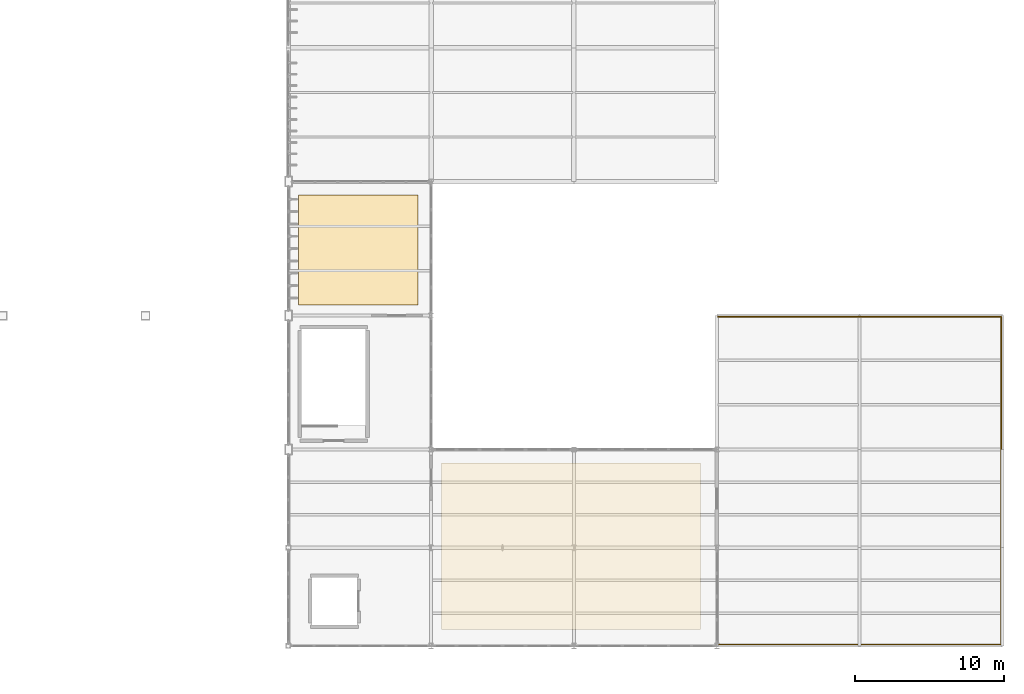
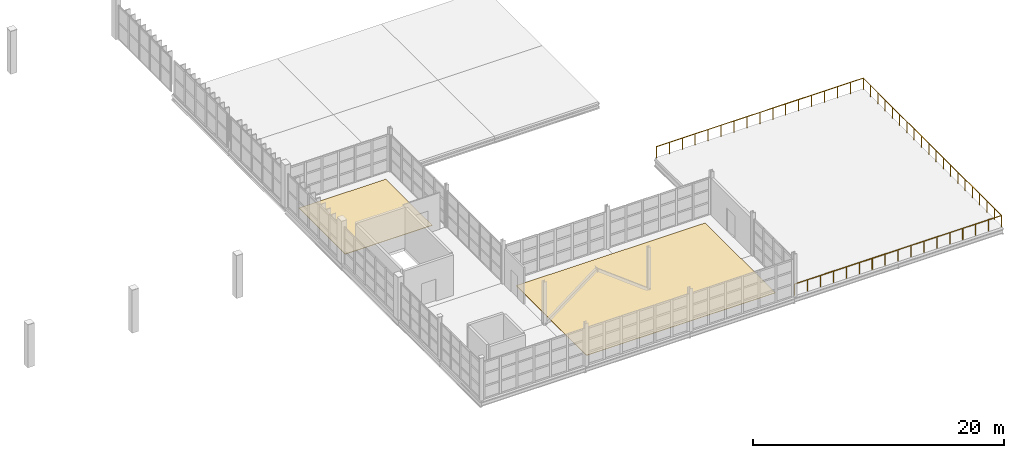
# One storey, part 82 of 82: 2 coverings, 1 railing.
"""IFC4 building model written with IfcOpenShell, lengths in metres."""

from ifc_helpers import new_model, si_unit, direction, frame, origin, origin_2d, place, context, subcontext, project, spatial, polyline, circle, outline, extrude, material, layer, layer_set, type_object, element, save


model = new_model("IFC4")

# Units and contexts
model_context = context("Model", 3, precision=1e-05, world=origin(), true_north=direction((0.0, 1.0)))
body_context = subcontext(model_context, "Body", "Model", "MODEL_VIEW")
ifc_project = project(units=[si_unit("LENGTHUNIT", "METRE"), si_unit("AREAUNIT", "SQUARE_METRE"), si_unit("VOLUMEUNIT", "CUBIC_METRE"), si_unit("PLANEANGLEUNIT", "RADIAN"), si_unit("MASSUNIT", "GRAM", prefix="KILO")], contexts=[model_context])

# Site, building, storey
site_placement = place(None, origin())
site = spatial("IfcSite", under=ifc_project, at=site_placement, CompositionType="ELEMENT")
building_placement = place(site_placement, origin())
building = spatial("IfcBuilding", under=site, at=building_placement, Name="Zarnetskaya Central Station", CompositionType="ELEMENT")
storey_placement = place(building_placement, frame((0.0, 0.0, 10.199951171875)))
storey = spatial("IfcBuildingStorey", under=building, at=storey_placement, Name="L02", CompositionType="ELEMENT", Elevation=10.199951171875)

# Coverings
ifc_material_1 = material(Name="Granite stone flooring", Category="masonry")
ifc_layer = layer(ifc_material_1, 0.0400390625, Name="Granite stone flooring", Category="masonry")
ifc_layer_set = layer_set([ifc_layer], Name="Granite stone flooring")
covering_type = type_object("IfcCoveringType", Name="COV-GRAN-FLR", PredefinedType="FLOORING", material=ifc_layer_set)
covering_1_placement = place(storey_placement, origin())
element("IfcCovering", 1, at=covering_1_placement, inside=storey, type_object=covering_type, Name="Granite terrazzo floor finish L02-411", PredefinedType="FLOORING", context=body_context, shape_type="SweptSolid", body=[
    extrude(outline(polyline([(135.10009765625, 1.10009765625), (152.5, 1.10009765625), (152.5, 12.300048828125), (135.10009765625, 12.300048828125), (135.10009765625, 1.10009765625)])), origin(), (0.0, 0.0, 1.0), 0.0400390625),
])
covering_2_placement = place(storey_placement, origin())
element("IfcCovering", 2, at=covering_2_placement, inside=storey, type_object=covering_type, Name="Granite terrazzo floor finish L02-412", PredefinedType="FLOORING", context=body_context, shape_type="SweptSolid", body=[
    extrude(outline(polyline([(125.5, 22.89990234375), (133.5, 22.89990234375), (133.5, 30.300048828125), (125.5, 30.300048828125), (125.5, 22.89990234375)])), origin(), (0.0, 0.0, 1.0), 0.0400390625),
])

# Railing
ifc_material_2 = material(Name="Steel S355", Category="steel")
railing_type = type_object("IfcRailingType", Name="RAIL-BAL-1100", PredefinedType="BALUSTRADE", material=ifc_material_2)
railing_placement = place(storey_placement, frame((153.679931640625, 0.080078125, 0.0)))
element("IfcRailing", 3, at=railing_placement, inside=storey, type_object=railing_type, Name="Protective deck balustrade GRD-02", PredefinedType="BALUSTRADE", context=body_context, shape_type="SweptSolid", body=[
    extrude(circle(Radius=0.02392578125, at=origin_2d()), frame((0.0, 0.0, 1.09619140625), z_axis=(1.0, 0.0, 0.0), x_axis=(0.0, 1.0, 0.0)), (0.0, 0.0, 1.0), 19.0400390625),
    extrude(circle(Radius=0.02392578125, at=origin_2d()), frame((19.0400390625, 0.0, 1.09619140625), z_axis=(0.0, 1.0, 0.0), x_axis=(-1.0, 0.0, 0.0)), (0.0, 0.0, 1.0), 22.0400390625),
    extrude(circle(Radius=0.02392578125, at=origin_2d()), frame((19.0400390625, 22.0400390625, 1.09619140625), z_axis=(-1.0, 0.0, 0.0), x_axis=(0.0, -1.0, 0.0)), (0.0, 0.0, 1.0), 19.0400390625),
    extrude(circle(Radius=0.02099609375, at=origin_2d()), origin(), (0.0, 0.0, 1.0), 1.072021484375),
    extrude(circle(Radius=0.02099609375, at=origin_2d()), frame((1.18994140625, 0.0, 0.0)), (0.0, 0.0, 1.0), 1.072021484375),
    extrude(circle(Radius=0.02099609375, at=origin_2d()), frame((2.3798828125, 0.0, 0.0)), (0.0, 0.0, 1.0), 1.072021484375),
    extrude(circle(Radius=0.02099609375, at=origin_2d()), frame((3.570068359375, 0.0, 0.0)), (0.0, 0.0, 1.0), 1.072021484375),
    extrude(circle(Radius=0.02099609375, at=origin_2d()), frame((4.760009765625, 0.0, 0.0)), (0.0, 0.0, 1.0), 1.072021484375),
    extrude(circle(Radius=0.02099609375, at=origin_2d()), frame((5.949951171875, 0.0, 0.0)), (0.0, 0.0, 1.0), 1.072021484375),
    extrude(circle(Radius=0.02099609375, at=origin_2d()), frame((7.14013671875, 0.0, 0.0)), (0.0, 0.0, 1.0), 1.072021484375),
    extrude(circle(Radius=0.02099609375, at=origin_2d()), frame((8.330078125, 0.0, 0.0)), (0.0, 0.0, 1.0), 1.072021484375),
    extrude(circle(Radius=0.02099609375, at=origin_2d()), frame((9.52001953125, 0.0, 0.0)), (0.0, 0.0, 1.0), 1.072021484375),
    extrude(circle(Radius=0.02099609375, at=origin_2d()), frame((10.7099609375, 0.0, 0.0)), (0.0, 0.0, 1.0), 1.072021484375),
    extrude(circle(Radius=0.02099609375, at=origin_2d()), frame((11.89990234375, 0.0, 0.0)), (0.0, 0.0, 1.0), 1.072021484375),
    extrude(circle(Radius=0.02099609375, at=origin_2d()), frame((13.090087890625, 0.0, 0.0)), (0.0, 0.0, 1.0), 1.072021484375),
    extrude(circle(Radius=0.02099609375, at=origin_2d()), frame((14.280029296875, 0.0, 0.0)), (0.0, 0.0, 1.0), 1.072021484375),
    extrude(circle(Radius=0.02099609375, at=origin_2d()), frame((15.469970703125, 0.0, 0.0)), (0.0, 0.0, 1.0), 1.072021484375),
    extrude(circle(Radius=0.02099609375, at=origin_2d()), frame((16.66015625, 0.0, 0.0)), (0.0, 0.0, 1.0), 1.072021484375),
    extrude(circle(Radius=0.02099609375, at=origin_2d()), frame((17.85009765625, 0.0, 0.0)), (0.0, 0.0, 1.0), 1.072021484375),
    extrude(circle(Radius=0.02099609375, at=origin_2d()), frame((19.0400390625, 0.0, 0.0)), (0.0, 0.0, 1.0), 1.072021484375),
    extrude(circle(Radius=0.02099609375, at=origin_2d()), frame((19.0400390625, 1.159912109375, 0.0)), (0.0, 0.0, 1.0), 1.072021484375),
    extrude(circle(Radius=0.02099609375, at=origin_2d()), frame((19.0400390625, 2.320068359375, 0.0)), (0.0, 0.0, 1.0), 1.072021484375),
    extrude(circle(Radius=0.02099609375, at=origin_2d()), frame((19.0400390625, 3.47998046875, 0.0)), (0.0, 0.0, 1.0), 1.072021484375),
    extrude(circle(Radius=0.02099609375, at=origin_2d()), frame((19.0400390625, 4.639892578125, 0.0)), (0.0, 0.0, 1.0), 1.072021484375),
    extrude(circle(Radius=0.02099609375, at=origin_2d()), frame((19.0400390625, 5.800048828125, 0.0)), (0.0, 0.0, 1.0), 1.072021484375),
    extrude(circle(Radius=0.02099609375, at=origin_2d()), frame((19.0400390625, 6.9599609375, 0.0)), (0.0, 0.0, 1.0), 1.072021484375),
    extrude(circle(Radius=0.02099609375, at=origin_2d()), frame((19.0400390625, 8.1201171875, 0.0)), (0.0, 0.0, 1.0), 1.072021484375),
    extrude(circle(Radius=0.02099609375, at=origin_2d()), frame((19.0400390625, 9.280029296875, 0.0)), (0.0, 0.0, 1.0), 1.072021484375),
    extrude(circle(Radius=0.02099609375, at=origin_2d()), frame((19.0400390625, 10.43994140625, 0.0)), (0.0, 0.0, 1.0), 1.072021484375),
    extrude(circle(Radius=0.02099609375, at=origin_2d()), frame((19.0400390625, 11.60009765625, 0.0)), (0.0, 0.0, 1.0), 1.072021484375),
    extrude(circle(Radius=0.02099609375, at=origin_2d()), frame((19.0400390625, 12.760009765625, 0.0)), (0.0, 0.0, 1.0), 1.072021484375),
    extrude(circle(Radius=0.02099609375, at=origin_2d()), frame((19.0400390625, 13.919921875, 0.0)), (0.0, 0.0, 1.0), 1.072021484375),
    extrude(circle(Radius=0.02099609375, at=origin_2d()), frame((19.0400390625, 15.080078125, 0.0)), (0.0, 0.0, 1.0), 1.072021484375),
    extrude(circle(Radius=0.02099609375, at=origin_2d()), frame((19.0400390625, 16.239990234375, 0.0)), (0.0, 0.0, 1.0), 1.072021484375),
    extrude(circle(Radius=0.02099609375, at=origin_2d()), frame((19.0400390625, 17.400146484375, 0.0)), (0.0, 0.0, 1.0), 1.072021484375),
    extrude(circle(Radius=0.02099609375, at=origin_2d()), frame((19.0400390625, 18.56005859375, 0.0)), (0.0, 0.0, 1.0), 1.072021484375),
    extrude(circle(Radius=0.02099609375, at=origin_2d()), frame((19.0400390625, 19.719970703125, 0.0)), (0.0, 0.0, 1.0), 1.072021484375),
    extrude(circle(Radius=0.02099609375, at=origin_2d()), frame((19.0400390625, 20.880126953125, 0.0)), (0.0, 0.0, 1.0), 1.072021484375),
    extrude(circle(Radius=0.02099609375, at=origin_2d()), frame((19.0400390625, 22.0400390625, 0.0)), (0.0, 0.0, 1.0), 1.072021484375),
    extrude(circle(Radius=0.02099609375, at=origin_2d()), frame((17.85009765625, 22.0400390625, 0.0)), (0.0, 0.0, 1.0), 1.072021484375),
    extrude(circle(Radius=0.02099609375, at=origin_2d()), frame((16.66015625, 22.0400390625, 0.0)), (0.0, 0.0, 1.0), 1.072021484375),
    extrude(circle(Radius=0.02099609375, at=origin_2d()), frame((15.469970703125, 22.0400390625, 0.0)), (0.0, 0.0, 1.0), 1.072021484375),
    extrude(circle(Radius=0.02099609375, at=origin_2d()), frame((14.280029296875, 22.0400390625, 0.0)), (0.0, 0.0, 1.0), 1.072021484375),
    extrude(circle(Radius=0.02099609375, at=origin_2d()), frame((13.090087890625, 22.0400390625, 0.0)), (0.0, 0.0, 1.0), 1.072021484375),
    extrude(circle(Radius=0.02099609375, at=origin_2d()), frame((11.89990234375, 22.0400390625, 0.0)), (0.0, 0.0, 1.0), 1.072021484375),
    extrude(circle(Radius=0.02099609375, at=origin_2d()), frame((10.7099609375, 22.0400390625, 0.0)), (0.0, 0.0, 1.0), 1.072021484375),
    extrude(circle(Radius=0.02099609375, at=origin_2d()), frame((9.52001953125, 22.0400390625, 0.0)), (0.0, 0.0, 1.0), 1.072021484375),
    extrude(circle(Radius=0.02099609375, at=origin_2d()), frame((8.330078125, 22.0400390625, 0.0)), (0.0, 0.0, 1.0), 1.072021484375),
    extrude(circle(Radius=0.02099609375, at=origin_2d()), frame((7.14013671875, 22.0400390625, 0.0)), (0.0, 0.0, 1.0), 1.072021484375),
    extrude(circle(Radius=0.02099609375, at=origin_2d()), frame((5.949951171875, 22.0400390625, 0.0)), (0.0, 0.0, 1.0), 1.072021484375),
    extrude(circle(Radius=0.02099609375, at=origin_2d()), frame((4.760009765625, 22.0400390625, 0.0)), (0.0, 0.0, 1.0), 1.072021484375),
    extrude(circle(Radius=0.02099609375, at=origin_2d()), frame((3.570068359375, 22.0400390625, 0.0)), (0.0, 0.0, 1.0), 1.072021484375),
    extrude(circle(Radius=0.02099609375, at=origin_2d()), frame((2.3798828125, 22.0400390625, 0.0)), (0.0, 0.0, 1.0), 1.072021484375),
    extrude(circle(Radius=0.02099609375, at=origin_2d()), frame((1.18994140625, 22.0400390625, 0.0)), (0.0, 0.0, 1.0), 1.072021484375),
    extrude(circle(Radius=0.02099609375, at=origin_2d()), frame((0.0, 22.0400390625, 0.0)), (0.0, 0.0, 1.0), 1.072021484375),
])

save(model, "model.ifc")
